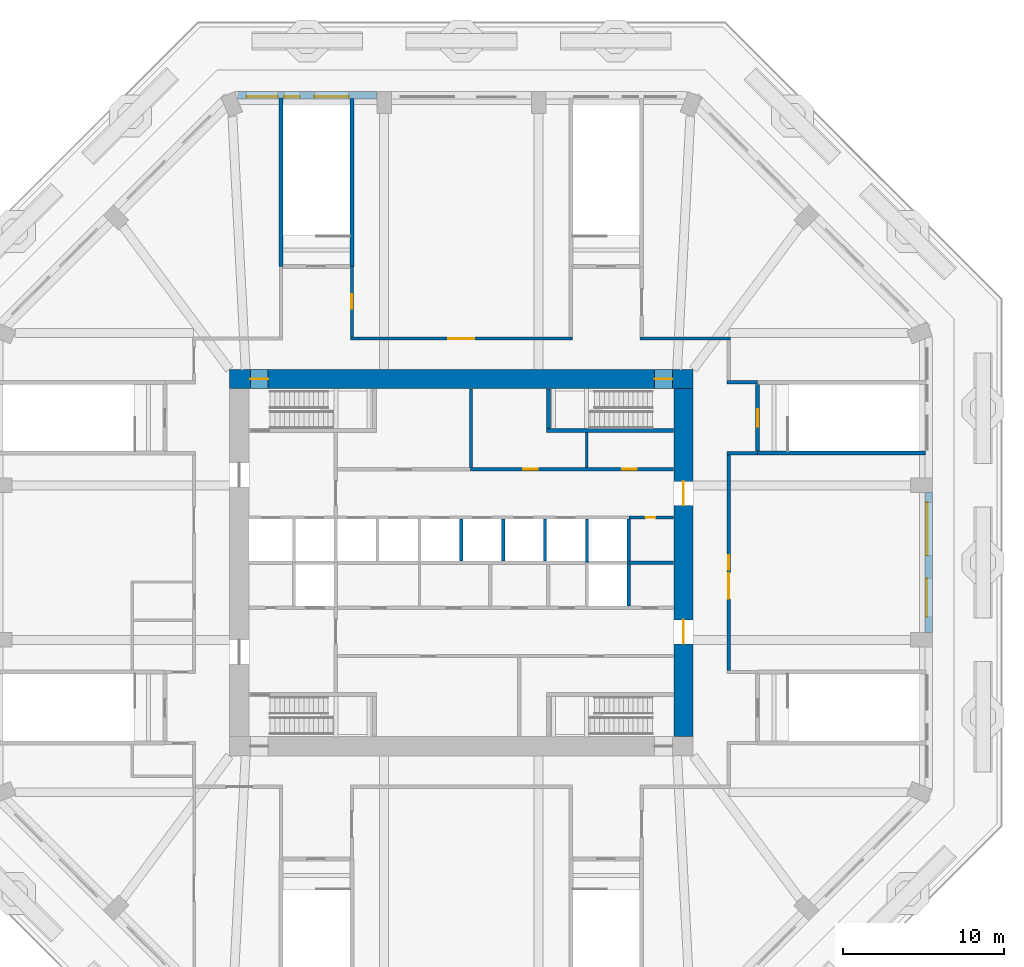
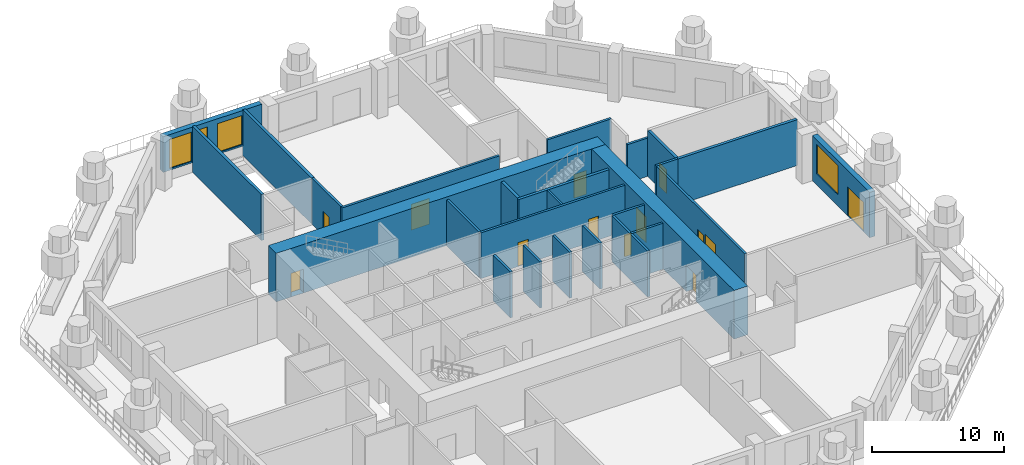
# One storey, part 7 of 13: 26 walls, 13 doors, 4 windows, 17 openings.
"""IFC4 building model written with IfcOpenShell, lengths in metres."""

from ifc_helpers import new_model, si_unit, direction, frame, frame_2d, origin, place, context, subcontext, project, spatial, rectangle, extrude, material, layer, layer_set, type_object, element, fill, save


model = new_model("IFC4")

# Units and contexts
model_context = context("Model", 3, precision=1e-05, world=origin(), true_north=direction((0.0, 1.0)))
body_context = subcontext(model_context, "Body", "Model", "MODEL_VIEW")
ifc_project = project(units=[si_unit("LENGTHUNIT", "METRE"), si_unit("AREAUNIT", "SQUARE_METRE"), si_unit("VOLUMEUNIT", "CUBIC_METRE"), si_unit("PLANEANGLEUNIT", "RADIAN"), si_unit("MASSUNIT", "GRAM", prefix="KILO")], contexts=[model_context])

# Site, building, storey
site_placement = place(None, origin())
site = spatial("IfcSite", under=ifc_project, at=site_placement, CompositionType="ELEMENT")
building_placement = place(site_placement, origin())
building = spatial("IfcBuilding", under=site, at=building_placement, Name="Msitu Wima Residences", CompositionType="ELEMENT")
storey_placement = place(building_placement, frame((0.0, 0.0, 21.0)))
storey = spatial("IfcBuildingStorey", under=building, at=storey_placement, Name="L04", CompositionType="ELEMENT", Elevation=21.0)

# Wall, openings, door, window
ifc_material_1 = material(Name="Brick (red buff mix), cavity wall of two leaves", Category="masonry")
ifc_layer_1 = layer(ifc_material_1, 0.449951171875)
ifc_layer_set_1 = layer_set([ifc_layer_1], Name="Brick (red buff mix), cavity wall of two leaves")
wall_type_1 = type_object("IfcWallType", Name="Brick infill wall BW450 podium", PredefinedType="ELEMENTEDWALL", material=ifc_layer_set_1)
wall_1_placement = place(storey_placement, frame((29.02490234375, -4.35009765625, 0.0), z_axis=(0.0, 0.0, 1.0), x_axis=(0.0, 1.0, 0.0)))
wall_1 = element("IfcWall", 1, at=wall_1_placement, inside=storey, type_object=wall_type_1, Name="Brick infill wall L04 E1", PredefinedType="ELEMENTEDWALL", context=body_context, shape_type="SweptSolid", body=[
    extrude(rectangle(XDim=8.7001953125, YDim=0.449951171875, at=frame_2d((4.35009765625, 0.0))), origin(), (0.0, 0.0, 1.0), 4.199951171875),
])
opening_1_placement = place(wall_1_placement, frame((0.97509765625, 0.0, 0.0)))
opening_1 = element("IfcOpeningElement", 2, at=opening_1_placement, cuts=wall_1, Name="Opening D04.001", PredefinedType="OPENING", context=body_context, shape_type="SweptSolid", body=[
    extrude(rectangle(XDim=2.39990234375, YDim=2.699951171875, at=frame_2d((1.199951171875, 1.35009765625))), frame((0.0, 0.23486328125, 0.0), z_axis=(0.0, -1.0, 0.0), x_axis=(1.0, 0.0, 0.0)), (0.0, 0.0, 1.0), 0.469970703125),
])
opening_2_placement = place(wall_1_placement, frame((4.800048828125, 0.0, 1.050048828125)))
opening_2 = element("IfcOpeningElement", 3, at=opening_2_placement, cuts=wall_1, Name="Opening W04.004", PredefinedType="OPENING", context=body_context, shape_type="SweptSolid", body=[
    extrude(rectangle(XDim=3.300048828125, YDim=2.699951171875, at=frame_2d((1.64990234375, 1.35009765625))), frame((0.0, 0.23486328125, 0.0), z_axis=(0.0, -1.0, 0.0), x_axis=(1.0, 0.0, 0.0)), (0.0, 0.0, 1.0), 0.469970703125),
])
ifc_material_2 = material(Name="Anodised aluminium, bronze finish, clear low-emissivity double glazing", Category="aluminium")
door_type_1 = type_object("IfcDoorType", Name="Balcony door D2400x2700", OperationType="SLIDING_TO_LEFT", PredefinedType="DOOR", material=ifc_material_2)
door_1_placement = place(opening_1_placement, origin())
door_1 = element("IfcDoor", 4, at=door_1_placement, inside=storey, type_object=door_type_1, Name="Terrace door L04 E1", OperationType="SINGLE_SWING_LEFT", OverallHeight=2.699951171875, OverallWidth=2.39990234375, PredefinedType="DOOR", context=body_context, shape_type="SweptSolid", body=[
    extrude(rectangle(XDim=2.39990234375, YDim=2.699951171875, at=frame_2d((1.199951171875, 1.35009765625))), frame((0.0, 0.1298828125, 0.0), z_axis=(0.0, -1.0, 0.0), x_axis=(1.0, 0.0, 0.0)), (0.0, 0.0, 1.0), 0.050048828125),
])
fill(opening_1, door_1)
window_type_1 = type_object("IfcWindowType", Name="Window W3300x2700", PartitioningType="DOUBLE_PANEL_VERTICAL", PredefinedType="WINDOW", material=ifc_material_2)
window_1_placement = place(opening_2_placement, origin())
window_1 = element("IfcWindow", 5, at=window_1_placement, inside=storey, type_object=window_type_1, Name="Window L04 E1.2", OverallHeight=2.699951171875, OverallWidth=3.300048828125, PartitioningType="SINGLE_PANEL", PredefinedType="WINDOW", context=body_context, shape_type="SweptSolid", body=[
    extrude(rectangle(XDim=3.300048828125, YDim=2.699951171875, at=frame_2d((1.64990234375, 1.35009765625))), frame((0.0, 0.135009765625, 0.0), z_axis=(0.0, -1.0, 0.0), x_axis=(1.0, 0.0, 0.0)), (0.0, 0.0, 1.0), 0.06005859375),
])
fill(opening_2, window_1)

# Wall, openings, windows
wall_2_placement = place(storey_placement, frame((-5.25, 29.02490234375, 0.89990234375), z_axis=(0.0, 0.0, 1.0), x_axis=(-1.0, 0.0, 0.0)))
wall_2 = element("IfcWall", 6, at=wall_2_placement, inside=storey, type_object=wall_type_1, Name="Brick infill wall L04 N2", PredefinedType="ELEMENTEDWALL", context=body_context, shape_type="SweptSolid", body=[
    extrude(rectangle(XDim=8.662841796875, YDim=0.449951171875, at=frame_2d((4.33154296875, 0.0))), origin(), (0.0, 0.0, 1.0), 3.300048828125),
])
opening_3_placement = place(wall_2_placement, frame((1.75, 0.0, 0.14990234375)))
opening_3 = element("IfcOpeningElement", 7, at=opening_3_placement, cuts=wall_2, Name="Opening W04.012", PredefinedType="OPENING", context=body_context, shape_type="SweptSolid", body=[
    extrude(rectangle(XDim=2.1298828125, YDim=2.699951171875, at=frame_2d((1.06494140625, 1.35009765625))), frame((0.0, 0.23486328125, 0.0), z_axis=(0.0, -1.0, 0.0), x_axis=(1.0, 0.0, 0.0)), (0.0, 0.0, 1.0), 0.469970703125),
])
opening_4_placement = place(wall_2_placement, frame((4.781494140625, 0.0, 0.14990234375)))
opening_4 = element("IfcOpeningElement", 8, at=opening_4_placement, cuts=wall_2, Name="Opening W04.013", PredefinedType="OPENING", context=body_context, shape_type="SweptSolid", body=[
    extrude(rectangle(XDim=0.969970703125, YDim=2.699951171875, at=frame_2d((0.48486328125, 1.35009765625))), frame((0.0, 0.23486328125, 0.0), z_axis=(0.0, -1.0, 0.0), x_axis=(1.0, 0.0, 0.0)), (0.0, 0.0, 1.0), 0.469970703125),
])
opening_5_placement = place(wall_2_placement, frame((6.14990234375, 0.0, 0.14990234375)))
opening_5 = element("IfcOpeningElement", 9, at=opening_5_placement, cuts=wall_2, Name="Opening W04.014", PredefinedType="OPENING", context=body_context, shape_type="SweptSolid", body=[
    extrude(rectangle(XDim=1.929931640625, YDim=2.699951171875, at=frame_2d((0.96484375, 1.35009765625))), frame((0.0, 0.23486328125, 0.0), z_axis=(0.0, -1.0, 0.0), x_axis=(1.0, 0.0, 0.0)), (0.0, 0.0, 1.0), 0.469970703125),
])
window_type_2 = type_object("IfcWindowType", Name="Window W1930x2700", PartitioningType="DOUBLE_PANEL_VERTICAL", PredefinedType="WINDOW", material=ifc_material_2)
window_2_placement = place(opening_5_placement, origin())
window_2 = element("IfcWindow", 10, at=window_2_placement, inside=storey, type_object=window_type_2, Name="Window L04 N2.2b", OverallHeight=2.699951171875, OverallWidth=1.929931640625, PartitioningType="SINGLE_PANEL", PredefinedType="WINDOW", context=body_context, shape_type="SweptSolid", body=[
    extrude(rectangle(XDim=1.929931640625, YDim=2.699951171875, at=frame_2d((0.96484375, 1.35009765625))), frame((0.0, 0.135009765625, 0.0), z_axis=(0.0, -1.0, 0.0), x_axis=(1.0, 0.0, 0.0)), (0.0, 0.0, 1.0), 0.06005859375),
])
fill(opening_5, window_2)
window_type_3 = type_object("IfcWindowType", Name="Window W2130x2700", PartitioningType="DOUBLE_PANEL_VERTICAL", PredefinedType="WINDOW", material=ifc_material_2)
window_3_placement = place(opening_3_placement, origin())
window_3 = element("IfcWindow", 11, at=window_3_placement, inside=storey, type_object=window_type_3, Name="Window L04 N2.1b", OverallHeight=2.699951171875, OverallWidth=2.1298828125, PartitioningType="SINGLE_PANEL", PredefinedType="WINDOW", context=body_context, shape_type="SweptSolid", body=[
    extrude(rectangle(XDim=2.1298828125, YDim=2.699951171875, at=frame_2d((1.06494140625, 1.35009765625))), frame((0.0, 0.135009765625, 0.0), z_axis=(0.0, -1.0, 0.0), x_axis=(1.0, 0.0, 0.0)), (0.0, 0.0, 1.0), 0.06005859375),
])
fill(opening_3, window_3)
window_type_4 = type_object("IfcWindowType", Name="Window W970x2700", PartitioningType="DOUBLE_PANEL_VERTICAL", PredefinedType="WINDOW", material=ifc_material_2)
window_4_placement = place(opening_4_placement, origin())
window_4 = element("IfcWindow", 12, at=window_4_placement, inside=storey, type_object=window_type_4, Name="Window L04 N2.2a", OverallHeight=2.699951171875, OverallWidth=0.969970703125, PartitioningType="SINGLE_PANEL", PredefinedType="WINDOW", context=body_context, shape_type="SweptSolid", body=[
    extrude(rectangle(XDim=0.969970703125, YDim=2.699951171875, at=frame_2d((0.48486328125, 1.35009765625))), frame((0.0, 0.135009765625, 0.0), z_axis=(0.0, -1.0, 0.0), x_axis=(1.0, 0.0, 0.0)), (0.0, 0.0, 1.0), 0.06005859375),
])
fill(opening_4, window_4)

# Wall, openings, doors
ifc_material_3 = material(Name="Concrete C80/95", Category="concrete")
ifc_layer_2 = layer(ifc_material_3, 1.199951171875)
ifc_layer_set_2 = layer_set([ifc_layer_2], Name="Concrete C80/95")
wall_type_2 = type_object("IfcWallType", Name="Core wall CW1200 C80/95", PredefinedType="SHEAR", material=ifc_layer_set_2)
wall_3_placement = place(storey_placement, frame((-14.39990234375, 11.39990234375, 0.0), z_axis=(0.0, 0.0, 1.0), x_axis=(1.0, 0.0, 0.0)))
wall_3 = element("IfcWall", 13, at=wall_3_placement, inside=storey, type_object=wall_type_2, Name="Core wall", PredefinedType="SHEAR", context=body_context, shape_type="SweptSolid", body=[
    extrude(rectangle(XDim=28.7998046875, YDim=1.199951171875, at=frame_2d((14.39990234375, 0.0))), origin(), (0.0, 0.0, 1.0), 4.5),
])
opening_6_placement = place(wall_3_placement, frame((1.300048828125, 0.0, 0.0)))
opening_6 = element("IfcOpeningElement", 14, at=opening_6_placement, cuts=wall_3, Name="Opening D04.051", PredefinedType="OPENING", context=body_context, shape_type="SweptSolid", body=[
    extrude(rectangle(XDim=1.10009765625, YDim=2.199951171875, at=frame_2d((0.550048828125, 1.10009765625))), frame((0.0, 0.60986328125, 0.0), z_axis=(0.0, -1.0, 0.0), x_axis=(1.0, 0.0, 0.0)), (0.0, 0.0, 1.0), 1.219970703125),
])
opening_7_placement = place(wall_3_placement, frame((26.39990234375, 0.0, 0.0)))
opening_7 = element("IfcOpeningElement", 15, at=opening_7_placement, cuts=wall_3, Name="Opening D04.053", PredefinedType="OPENING", context=body_context, shape_type="SweptSolid", body=[
    extrude(rectangle(XDim=1.10009765625, YDim=2.199951171875, at=frame_2d((0.550048828125, 1.10009765625))), frame((0.0, 0.60986328125, 0.0), z_axis=(0.0, -1.0, 0.0), x_axis=(1.0, 0.0, 0.0)), (0.0, 0.0, 1.0), 1.219970703125),
])
ifc_material_4 = material(Name="Steel door, fire resisting, panic bar", Category="steel")
door_type_2 = type_object("IfcDoorType", Name="Stair door D06 1100x2200", OperationType="SINGLE_SWING_LEFT", PredefinedType="DOOR", material=ifc_material_4)
door_2_placement = place(opening_6_placement, origin())
door_2 = element("IfcDoor", 16, at=door_2_placement, inside=storey, type_object=door_type_2, Name="Stair door", OperationType="SINGLE_SWING_RIGHT", OverallHeight=2.199951171875, OverallWidth=1.10009765625, PredefinedType="DOOR", context=body_context, shape_type="SweptSolid", body=[
    extrude(rectangle(XDim=1.10009765625, YDim=2.199951171875, at=frame_2d((0.550048828125, 1.10009765625))), frame((0.0, 0.02490234375, 0.0), z_axis=(0.0, -1.0, 0.0), x_axis=(1.0, 0.0, 0.0)), (0.0, 0.0, 1.0), 0.050048828125),
])
fill(opening_6, door_2)
door_3_placement = place(opening_7_placement, origin())
door_3 = element("IfcDoor", 17, at=door_3_placement, inside=storey, type_object=door_type_2, Name="Stair door", OperationType="SINGLE_SWING_LEFT", OverallHeight=2.199951171875, OverallWidth=1.10009765625, PredefinedType="DOOR", context=body_context, shape_type="SweptSolid", body=[
    extrude(rectangle(XDim=1.10009765625, YDim=2.199951171875, at=frame_2d((0.550048828125, 1.10009765625))), frame((0.0, 0.02490234375, 0.0), z_axis=(0.0, -1.0, 0.0), x_axis=(1.0, 0.0, 0.0)), (0.0, 0.0, 1.0), 0.050048828125),
])
fill(opening_7, door_3)

wall_4_placement = place(storey_placement, frame((13.800048828125, -10.800048828125, 0.0), z_axis=(0.0, 0.0, 1.0), x_axis=(0.0, 1.0, 0.0)))
wall_4 = element("IfcWall", 18, at=wall_4_placement, inside=storey, type_object=wall_type_2, Name="Core wall", PredefinedType="SHEAR", context=body_context, shape_type="SweptSolid", body=[
    extrude(rectangle(XDim=21.60009765625, YDim=1.199951171875, at=frame_2d((10.800048828125, 0.0))), origin(), (0.0, 0.0, 1.0), 4.5),
])
opening_8_placement = place(wall_4_placement, frame((14.35009765625, 0.0, 0.0)))
opening_8 = element("IfcOpeningElement", 19, at=opening_8_placement, cuts=wall_4, Name="Opening D04.047", PredefinedType="OPENING", context=body_context, shape_type="SweptSolid", body=[
    extrude(rectangle(XDim=1.5, YDim=2.39990234375, at=frame_2d((0.75, 1.199951171875))), frame((0.0, 0.60986328125, 0.0), z_axis=(0.0, -1.0, 0.0), x_axis=(1.0, 0.0, 0.0)), (0.0, 0.0, 1.0), 1.219970703125),
])
opening_9_placement = place(wall_4_placement, frame((5.75, 0.0, 0.0)))
opening_9 = element("IfcOpeningElement", 20, at=opening_9_placement, cuts=wall_4, Name="Opening D04.048", PredefinedType="OPENING", context=body_context, shape_type="SweptSolid", body=[
    extrude(rectangle(XDim=1.5, YDim=2.39990234375, at=frame_2d((0.75, 1.199951171875))), frame((0.0, 0.60986328125, 0.0), z_axis=(0.0, -1.0, 0.0), x_axis=(1.0, 0.0, 0.0)), (0.0, 0.0, 1.0), 1.219970703125),
])
ifc_material_5 = material(Name="Steel framed glazed door, fire resisting", Category="steel")
door_type_3 = type_object("IfcDoorType", Name="Lobby door D07 1500x2400", OperationType="DOUBLE_DOOR_SINGLE_SWING", PredefinedType="DOOR", material=ifc_material_5)
door_4_placement = place(opening_8_placement, origin())
door_4 = element("IfcDoor", 21, at=door_4_placement, inside=storey, type_object=door_type_3, Name="Lobby door", OperationType="DOUBLE_DOOR_SINGLE_SWING", OverallHeight=2.39990234375, OverallWidth=1.5, PredefinedType="DOOR", context=body_context, shape_type="SweptSolid", body=[
    extrude(rectangle(XDim=1.5, YDim=2.39990234375, at=frame_2d((0.75, 1.199951171875))), frame((0.0, 0.02490234375, 0.0), z_axis=(0.0, -1.0, 0.0), x_axis=(1.0, 0.0, 0.0)), (0.0, 0.0, 1.0), 0.050048828125),
])
fill(opening_8, door_4)
door_5_placement = place(opening_9_placement, origin())
door_5 = element("IfcDoor", 22, at=door_5_placement, inside=storey, type_object=door_type_3, Name="Lobby door", OperationType="DOUBLE_DOOR_SINGLE_SWING", OverallHeight=2.39990234375, OverallWidth=1.5, PredefinedType="DOOR", context=body_context, shape_type="SweptSolid", body=[
    extrude(rectangle(XDim=1.5, YDim=2.39990234375, at=frame_2d((0.75, 1.199951171875))), frame((0.0, 0.02490234375, 0.0), z_axis=(0.0, -1.0, 0.0), x_axis=(1.0, 0.0, 0.0)), (0.0, 0.0, 1.0), 0.050048828125),
])
fill(opening_9, door_5)

# Wall, opening, door
ifc_material_6 = material(Name="Plaster")
ifc_layer_3 = layer(ifc_material_6, 0.011962890625, Name="Plaster")
ifc_material_7 = material(Name="Concrete blockwork", Category="masonry")
ifc_layer_4 = layer(ifc_material_7, 0.176025390625, Name="Concrete blockwork")
ifc_layer_5 = layer(ifc_material_6, 0.011962890625, Name="Plaster")
ifc_layer_set_3 = layer_set([ifc_layer_3, ifc_layer_4, ifc_layer_5], Name="Concrete blockwork")
wall_type_3 = type_object("IfcWallType", Name="Corridor wall FW200", PredefinedType="PARTITIONING", material=ifc_layer_set_3)
wall_5_placement = place(storey_placement, frame((-6.800048828125, 14.013427734375, 0.0), z_axis=(0.0, 0.0, 1.0), x_axis=(0.0, 1.0, 0.0)))
wall_5 = element("IfcWall", 23, at=wall_5_placement, inside=storey, type_object=wall_type_3, Name="Corridor wall", PredefinedType="PARTITIONING", context=body_context, shape_type="SweptSolid", body=[
    extrude(rectangle(XDim=4.386474609375, YDim=0.199951171875, at=frame_2d((2.193359375, 0.0))), origin(), (0.0, 0.0, 1.0), 4.25),
])
opening_10_placement = place(wall_5_placement, frame((1.75, 0.0, 0.0)))
opening_10 = element("IfcOpeningElement", 24, at=opening_10_placement, cuts=wall_5, Name="Opening D04.025", PredefinedType="OPENING", context=body_context, shape_type="SweptSolid", body=[
    extrude(rectangle(XDim=0.89990234375, YDim=2.199951171875, at=frame_2d((0.449951171875, 1.10009765625))), frame((0.0, 0.10986328125, 0.0), z_axis=(0.0, -1.0, 0.0), x_axis=(1.0, 0.0, 0.0)), (0.0, 0.0, 1.0), 0.219970703125),
])
ifc_material_8 = material(Name="Timber flush door", Category="wood")
door_type_4 = type_object("IfcDoorType", Name="Service door D05 900x2200", OperationType="SINGLE_SWING_LEFT", PredefinedType="DOOR", material=ifc_material_8)
door_6_placement = place(opening_10_placement, origin())
door_6 = element("IfcDoor", 25, at=door_6_placement, inside=storey, type_object=door_type_4, Name="Service door", OperationType="SINGLE_SWING_RIGHT", OverallHeight=2.199951171875, OverallWidth=0.89990234375, PredefinedType="DOOR", context=body_context, shape_type="SweptSolid", body=[
    extrude(rectangle(XDim=0.89990234375, YDim=2.199951171875, at=frame_2d((0.449951171875, 1.10009765625))), frame((0.0, 0.02490234375, 0.0), z_axis=(0.0, -1.0, 0.0), x_axis=(1.0, 0.0, 0.0)), (0.0, 0.0, 1.0), 0.050048828125),
])
fill(opening_10, door_6)

wall_6_placement = place(storey_placement, frame((-6.89990234375, 13.91357421875, 0.0), z_axis=(0.0, 0.0, 1.0), x_axis=(1.0, 0.0, 0.0)))
wall_6 = element("IfcWall", 26, at=wall_6_placement, inside=storey, type_object=wall_type_3, Name="Corridor wall", PredefinedType="PARTITIONING", context=body_context, shape_type="SweptSolid", body=[
    extrude(rectangle(XDim=13.7998046875, YDim=0.199951171875, at=frame_2d((6.89990234375, 0.0))), origin(), (0.0, 0.0, 1.0), 4.25),
])
opening_11_placement = place(wall_6_placement, frame((6.10009765625, 0.0, 0.0)))
opening_11 = element("IfcOpeningElement", 27, at=opening_11_placement, cuts=wall_6, Name="Opening D04.037", PredefinedType="OPENING", context=body_context, shape_type="SweptSolid", body=[
    extrude(rectangle(XDim=1.60009765625, YDim=2.39990234375, at=frame_2d((0.800048828125, 1.199951171875))), frame((0.0, 0.10986328125, 0.0), z_axis=(0.0, -1.0, 0.0), x_axis=(1.0, 0.0, 0.0)), (0.0, 0.0, 1.0), 0.219970703125),
])
ifc_material_9 = material(Name="Black aluminium glazed door", Category="aluminium")
door_type_5 = type_object("IfcDoorType", Name="Amenity door D10 1600x2400", OperationType="DOUBLE_DOOR_SINGLE_SWING", PredefinedType="DOOR", material=ifc_material_9)
door_7_placement = place(opening_11_placement, origin())
door_7 = element("IfcDoor", 28, at=door_7_placement, inside=storey, type_object=door_type_5, Name="Amenity door", OperationType="DOUBLE_DOOR_SINGLE_SWING", OverallHeight=2.39990234375, OverallWidth=1.60009765625, PredefinedType="DOOR", context=body_context, shape_type="SweptSolid", body=[
    extrude(rectangle(XDim=1.60009765625, YDim=2.39990234375, at=frame_2d((0.800048828125, 1.199951171875))), frame((0.0, 0.02490234375, 0.0), z_axis=(0.0, -1.0, 0.0), x_axis=(1.0, 0.0, 0.0)), (0.0, 0.0, 1.0), 0.050048828125),
])
fill(opening_11, door_7)

# Wall, openings, doors
wall_7_placement = place(storey_placement, frame((0.580078125, 5.800048828125, 0.0), z_axis=(0.0, 0.0, 1.0), x_axis=(1.0, 0.0, 0.0)))
wall_7 = element("IfcWall", 29, at=wall_7_placement, inside=storey, type_object=wall_type_3, Name="Corridor wall", PredefinedType="PARTITIONING", context=body_context, shape_type="SweptSolid", body=[
    extrude(rectangle(XDim=12.58984375, YDim=0.199951171875, at=frame_2d((6.294921875, 0.0))), origin(), (0.0, 0.0, 1.0), 4.25),
])
opening_12_placement = place(wall_7_placement, frame((3.25, 0.0, 0.0)))
opening_12 = element("IfcOpeningElement", 30, at=opening_12_placement, cuts=wall_7, Name="Opening D04.013", PredefinedType="OPENING", context=body_context, shape_type="SweptSolid", body=[
    extrude(rectangle(XDim=0.89990234375, YDim=2.199951171875, at=frame_2d((0.449951171875, 1.10009765625))), frame((0.0, 0.10986328125, 0.0), z_axis=(0.0, -1.0, 0.0), x_axis=(1.0, 0.0, 0.0)), (0.0, 0.0, 1.0), 0.219970703125),
])
opening_13_placement = place(wall_7_placement, frame((9.39990234375, 0.0, 0.0)))
opening_13 = element("IfcOpeningElement", 31, at=opening_13_placement, cuts=wall_7, Name="Opening D04.014", PredefinedType="OPENING", context=body_context, shape_type="SweptSolid", body=[
    extrude(rectangle(XDim=0.89990234375, YDim=2.199951171875, at=frame_2d((0.449951171875, 1.10009765625))), frame((0.0, 0.10986328125, 0.0), z_axis=(0.0, -1.0, 0.0), x_axis=(1.0, 0.0, 0.0)), (0.0, 0.0, 1.0), 0.219970703125),
])
door_8_placement = place(opening_12_placement, origin())
door_8 = element("IfcDoor", 32, at=door_8_placement, inside=storey, type_object=door_type_4, Name="Service door", OperationType="SINGLE_SWING_RIGHT", OverallHeight=2.199951171875, OverallWidth=0.89990234375, PredefinedType="DOOR", context=body_context, shape_type="SweptSolid", body=[
    extrude(rectangle(XDim=0.89990234375, YDim=2.199951171875, at=frame_2d((0.449951171875, 1.10009765625))), frame((0.0, 0.02490234375, 0.0), z_axis=(0.0, -1.0, 0.0), x_axis=(1.0, 0.0, 0.0)), (0.0, 0.0, 1.0), 0.050048828125),
])
fill(opening_12, door_8)
door_9_placement = place(opening_13_placement, origin())
door_9 = element("IfcDoor", 33, at=door_9_placement, inside=storey, type_object=door_type_4, Name="Service door", OperationType="SINGLE_SWING_LEFT", OverallHeight=2.199951171875, OverallWidth=0.89990234375, PredefinedType="DOOR", context=body_context, shape_type="SweptSolid", body=[
    extrude(rectangle(XDim=0.89990234375, YDim=2.199951171875, at=frame_2d((0.449951171875, 1.10009765625))), frame((0.0, 0.02490234375, 0.0), z_axis=(0.0, -1.0, 0.0), x_axis=(1.0, 0.0, 0.0)), (0.0, 0.0, 1.0), 0.050048828125),
])
fill(opening_13, door_9)

# Wall
wall_8_placement = place(storey_placement, frame((11.10009765625, 13.91357421875, 0.0), z_axis=(0.0, 0.0, 1.0), x_axis=(1.0, 0.0, 0.0)))
element("IfcWall", 34, at=wall_8_placement, inside=storey, type_object=wall_type_3, Name="Corridor wall", PredefinedType="PARTITIONING", context=body_context, shape_type="SweptSolid", body=[
    extrude(rectangle(XDim=5.599853515625, YDim=0.199951171875, at=frame_2d((2.7998046875, 0.0))), origin(), (0.0, 0.0, 1.0), 4.25),
])

# Wall, openings, doors
wall_9_placement = place(storey_placement, frame((16.60009765625, -6.699951171875, 0.0), z_axis=(0.0, 0.0, 1.0), x_axis=(0.0, 1.0, 0.0)))
wall_9 = element("IfcWall", 35, at=wall_9_placement, inside=storey, type_object=wall_type_3, Name="Corridor wall", PredefinedType="PARTITIONING", context=body_context, shape_type="SweptSolid", body=[
    extrude(rectangle(XDim=13.39990234375, YDim=0.199951171875, at=frame_2d((6.699951171875, 0.0))), origin(), (0.0, 0.0, 1.0), 4.25),
])
opening_14_placement = place(wall_9_placement, frame((6.25, 0.0, 0.0)))
opening_14 = element("IfcOpeningElement", 36, at=opening_14_placement, cuts=wall_9, Name="Opening D04.026", PredefinedType="OPENING", context=body_context, shape_type="SweptSolid", body=[
    extrude(rectangle(XDim=0.89990234375, YDim=2.199951171875, at=frame_2d((0.449951171875, 1.10009765625))), frame((0.0, 0.10986328125, 0.0), z_axis=(0.0, -1.0, 0.0), x_axis=(1.0, 0.0, 0.0)), (0.0, 0.0, 1.0), 0.219970703125),
])
opening_15_placement = place(wall_9_placement, frame((4.449951171875, 0.0, 0.0)))
opening_15 = element("IfcOpeningElement", 37, at=opening_15_placement, cuts=wall_9, Name="Opening D04.038", PredefinedType="OPENING", context=body_context, shape_type="SweptSolid", body=[
    extrude(rectangle(XDim=1.60009765625, YDim=2.39990234375, at=frame_2d((0.800048828125, 1.199951171875))), frame((0.0, 0.10986328125, 0.0), z_axis=(0.0, -1.0, 0.0), x_axis=(1.0, 0.0, 0.0)), (0.0, 0.0, 1.0), 0.219970703125),
])
door_10_placement = place(opening_15_placement, origin())
door_10 = element("IfcDoor", 38, at=door_10_placement, inside=storey, type_object=door_type_5, Name="Amenity door", OperationType="DOUBLE_DOOR_SINGLE_SWING", OverallHeight=2.39990234375, OverallWidth=1.60009765625, PredefinedType="DOOR", context=body_context, shape_type="SweptSolid", body=[
    extrude(rectangle(XDim=1.60009765625, YDim=2.39990234375, at=frame_2d((0.800048828125, 1.199951171875))), frame((0.0, 0.02490234375, 0.0), z_axis=(0.0, -1.0, 0.0), x_axis=(1.0, 0.0, 0.0)), (0.0, 0.0, 1.0), 0.050048828125),
])
fill(opening_15, door_10)
door_11_placement = place(opening_14_placement, origin())
door_11 = element("IfcDoor", 39, at=door_11_placement, inside=storey, type_object=door_type_4, Name="Service door", OperationType="SINGLE_SWING_RIGHT", OverallHeight=2.199951171875, OverallWidth=0.89990234375, PredefinedType="DOOR", context=body_context, shape_type="SweptSolid", body=[
    extrude(rectangle(XDim=0.89990234375, YDim=2.199951171875, at=frame_2d((0.449951171875, 1.10009765625))), frame((0.0, 0.02490234375, 0.0), z_axis=(0.0, -1.0, 0.0), x_axis=(1.0, 0.0, 0.0)), (0.0, 0.0, 1.0), 0.050048828125),
])
fill(opening_14, door_11)

# Walls
wall_10_placement = place(storey_placement, frame((16.5, 6.800048828125, 0.0), z_axis=(0.0, 0.0, 1.0), x_axis=(1.0, 0.0, 0.0)))
element("IfcWall", 40, at=wall_10_placement, inside=storey, type_object=wall_type_3, Name="Corridor wall", PredefinedType="PARTITIONING", context=body_context, shape_type="SweptSolid", body=[
    extrude(rectangle(XDim=1.89990234375, YDim=0.199951171875, at=frame_2d((0.949951171875, 0.0))), origin(), (0.0, 0.0, 1.0), 4.25),
])
wall_11_placement = place(storey_placement, frame((16.5, 11.199951171875, 0.0), z_axis=(0.0, 0.0, 1.0), x_axis=(1.0, 0.0, 0.0)))
element("IfcWall", 41, at=wall_11_placement, inside=storey, type_object=wall_type_3, Name="Corridor wall", PredefinedType="PARTITIONING", context=body_context, shape_type="SweptSolid", body=[
    extrude(rectangle(XDim=1.89990234375, YDim=0.199951171875, at=frame_2d((0.949951171875, 0.0))), origin(), (0.0, 0.0, 1.0), 3.550048828125),
])
ifc_layer_6 = layer(ifc_material_6, 0.011962890625, Name="Plaster")
ifc_layer_7 = layer(ifc_material_7, 0.1259765625, Name="Concrete blockwork")
ifc_layer_8 = layer(ifc_material_6, 0.011962890625, Name="Plaster")
ifc_layer_set_4 = layer_set([ifc_layer_6, ifc_layer_7, ifc_layer_8], Name="Concrete blockwork")
wall_type_4 = type_object("IfcWallType", Name="Partition PW150", PredefinedType="PARTITIONING", material=ifc_layer_set_4)
wall_12_placement = place(storey_placement, frame((7.800048828125, 5.89990234375, 0.0), z_axis=(0.0, 0.0, 1.0), x_axis=(0.0, 1.0, 0.0)))
element("IfcWall", 42, at=wall_12_placement, inside=storey, type_object=wall_type_4, Name="Partition", PredefinedType="PARTITIONING", context=body_context, shape_type="SweptSolid", body=[
    extrude(rectangle(XDim=2.175048828125, YDim=0.14990234375, at=frame_2d((1.08740234375, 0.0))), origin(), (0.0, 0.0, 1.0), 4.25),
])
ifc_layer_9 = layer(ifc_material_6, 0.011962890625, Name="Plaster")
ifc_material_10 = material(Name="Reinforced concrete blockwork", Category="masonry")
ifc_layer_10 = layer(ifc_material_10, 0.176025390625, Name="Reinforced concrete blockwork")
ifc_layer_11 = layer(ifc_material_6, 0.011962890625, Name="Plaster")
ifc_layer_set_5 = layer_set([ifc_layer_9, ifc_layer_10, ifc_layer_11], Name="Reinforced concrete blockwork")
wall_type_5 = type_object("IfcWallType", Name="Plant and riser wall PL200", PredefinedType="PARTITIONING", material=ifc_layer_set_5)
wall_13_placement = place(storey_placement, frame((0.60009765625, 5.89990234375, 0.0), z_axis=(0.0, 0.0, 1.0), x_axis=(0.0, 1.0, 0.0)))
element("IfcWall", 43, at=wall_13_placement, inside=storey, type_object=wall_type_5, Name="Plant and riser wall", PredefinedType="PARTITIONING", context=body_context, shape_type="SweptSolid", body=[
    extrude(rectangle(XDim=4.8701171875, YDim=0.199951171875, at=frame_2d((2.43505859375, 0.0))), origin(), (0.0, 0.0, 1.0), 4.25),
])

# Wall, opening, door
wall_14_placement = place(storey_placement, frame((10.39990234375, 2.800048828125, 0.0), z_axis=(0.0, 0.0, 1.0), x_axis=(1.0, 0.0, 0.0)))
wall_14 = element("IfcWall", 44, at=wall_14_placement, inside=storey, type_object=wall_type_5, Name="Plant and riser wall", PredefinedType="PARTITIONING", context=body_context, shape_type="SweptSolid", body=[
    extrude(rectangle(XDim=2.77001953125, YDim=0.199951171875, at=frame_2d((1.385009765625, 0.0))), origin(), (0.0, 0.0, 1.0), 4.25),
])
opening_16_placement = place(wall_14_placement, frame((1.050048828125, 0.0, 0.0)))
opening_16 = element("IfcOpeningElement", 45, at=opening_16_placement, cuts=wall_14, Name="Opening D04.017", PredefinedType="OPENING", context=body_context, shape_type="SweptSolid", body=[
    extrude(rectangle(XDim=0.60009765625, YDim=2.0, at=frame_2d((0.300048828125, 1.0))), frame((0.0, 0.10986328125, 0.0), z_axis=(0.0, -1.0, 0.0), x_axis=(1.0, 0.0, 0.0)), (0.0, 0.0, 1.0), 0.219970703125),
])
ifc_material_11 = material(Name="Steel access door, fire resisting", Category="steel")
door_type_6 = type_object("IfcDoorType", Name="Riser access door D08 600x2000", OperationType="SINGLE_SWING_LEFT", PredefinedType="DOOR", material=ifc_material_11)
door_12_placement = place(opening_16_placement, origin())
door_12 = element("IfcDoor", 46, at=door_12_placement, inside=storey, type_object=door_type_6, Name="Riser access door", OperationType="SINGLE_SWING_RIGHT", OverallHeight=2.0, OverallWidth=0.60009765625, PredefinedType="DOOR", context=body_context, shape_type="SweptSolid", body=[
    extrude(rectangle(XDim=0.60009765625, YDim=2.0, at=frame_2d((0.300048828125, 1.0))), frame((0.0, 0.02490234375, 0.0), z_axis=(0.0, -1.0, 0.0), x_axis=(1.0, 0.0, 0.0)), (0.0, 0.0, 1.0), 0.050048828125),
])
fill(opening_16, door_12)

# Walls
wall_15_placement = place(storey_placement, frame((10.39990234375, 0.0, 0.0), z_axis=(0.0, 0.0, 1.0), x_axis=(1.0, 0.0, 0.0)))
element("IfcWall", 47, at=wall_15_placement, inside=storey, type_object=wall_type_5, Name="Plant and riser wall", PredefinedType="PARTITIONING", context=body_context, shape_type="SweptSolid", body=[
    extrude(rectangle(XDim=2.77001953125, YDim=0.199951171875, at=frame_2d((1.385009765625, 0.0))), origin(), (0.0, 0.0, 1.0), 4.25),
])
ifc_material_12 = material(Name="Fire-rated board")
ifc_layer_12 = layer(ifc_material_12, 0.02490234375, Name="Fire-rated board")
ifc_material_13 = material(Name="Light-gauge stud framing with mineral wool")
ifc_layer_13 = layer(ifc_material_13, 0.14990234375, Name="Light-gauge stud framing with mineral wool")
ifc_layer_14 = layer(ifc_material_12, 0.02490234375, Name="Fire-rated board")
ifc_layer_set_6 = layer_set([ifc_layer_12, ifc_layer_13, ifc_layer_14], Name="Light-gauge stud framing with mineral wool")
wall_type_6 = type_object("IfcWallType", Name="Shaft wall SH200", PredefinedType="PARTITIONING", material=ifc_layer_set_6)
for number, where, z_axis, x_axis, name in (
    (48, (0.0, 0.10009765625, 0.0), (0.0, 0.0, 1.0), (0.0, 1.0, 0.0), "Shaft wall"),
    (49, (2.60009765625, 0.10009765625, 0.0), (0.0, 0.0, 1.0), (0.0, 1.0, 0.0), "Shaft wall"),
    (50, (5.199951171875, 0.10009765625, 0.0), (0.0, 0.0, 1.0), (0.0, 1.0, 0.0), "Shaft wall"),
):
    element("IfcWall", number, at=place(storey_placement, frame(where, z_axis=z_axis, x_axis=x_axis)), inside=storey, type_object=wall_type_6, Name=name, PredefinedType="PARTITIONING", context=body_context, shape_type="SweptSolid", body=[
        extrude(rectangle(XDim=2.599853515625, YDim=0.199951171875, at=frame_2d((1.2998046875, 0.0))), origin(), (0.0, 0.0, 1.0), 4.25),
    ])
wall_16_placement = place(storey_placement, frame((7.800048828125, 0.0, 0.0), z_axis=(0.0, 0.0, 1.0), x_axis=(0.0, 1.0, 0.0)))
element("IfcWall", 51, at=wall_16_placement, inside=storey, type_object=wall_type_6, Name="Shaft wall", PredefinedType="PARTITIONING", context=body_context, shape_type="SweptSolid", body=[
    extrude(rectangle(XDim=2.699951171875, YDim=0.199951171875, at=frame_2d((1.35009765625, 0.0))), origin(), (0.0, 0.0, 1.0), 4.25),
])
wall_17_placement = place(storey_placement, frame((10.39990234375, -2.699951171875, 0.0), z_axis=(0.0, 0.0, 1.0), x_axis=(0.0, 1.0, 0.0)))
element("IfcWall", 52, at=wall_17_placement, inside=storey, type_object=wall_type_6, Name="Shaft wall", PredefinedType="PARTITIONING", context=body_context, shape_type="SweptSolid", body=[
    extrude(rectangle(XDim=5.39990234375, YDim=0.199951171875, at=frame_2d((2.699951171875, 0.0))), origin(), (0.0, 0.0, 1.0), 4.25),
])
ifc_material_14 = material(Name="Concrete C50/60", Category="concrete")
ifc_layer_15 = layer(ifc_material_14, 0.25)
ifc_layer_set_7 = layer_set([ifc_layer_15], Name="Concrete C50/60")
wall_type_7 = type_object("IfcWallType", Name="Stair enclosure wall SW250", PredefinedType="SHEAR", material=ifc_layer_set_7)
wall_18_placement = place(storey_placement, frame((-11.199951171875, 18.39990234375, 0.0), z_axis=(0.0, 0.0, 1.0), x_axis=(0.0, 1.0, 0.0)))
element("IfcWall", 53, at=wall_18_placement, inside=storey, type_object=wall_type_7, Name="Stair enclosure wall", PredefinedType="SHEAR", context=body_context, shape_type="SweptSolid", body=[
    extrude(rectangle(XDim=10.455078125, YDim=0.25, at=frame_2d((5.2275390625, 0.0))), origin(), (0.0, 0.0, 1.0), 4.25),
])
wall_19_placement = place(storey_placement, frame((-6.800048828125, 18.39990234375, 0.0), z_axis=(0.0, 0.0, 1.0), x_axis=(0.0, 1.0, 0.0)))
element("IfcWall", 54, at=wall_19_placement, inside=storey, type_object=wall_type_7, Name="Stair enclosure wall", PredefinedType="SHEAR", context=body_context, shape_type="SweptSolid", body=[
    extrude(rectangle(XDim=10.425048828125, YDim=0.25, at=frame_2d((5.21240234375, 0.0))), origin(), (0.0, 0.0, 1.0), 4.25),
])
wall_20_placement = place(storey_placement, frame((5.39990234375, 8.324951171875, 0.0), z_axis=(0.0, 0.0, 1.0), x_axis=(0.0, 1.0, 0.0)))
element("IfcWall", 55, at=wall_20_placement, inside=storey, type_object=wall_type_7, Name="Stair enclosure wall", PredefinedType="SHEAR", context=body_context, shape_type="SweptSolid", body=[
    extrude(rectangle(XDim=2.445068359375, YDim=0.25, at=frame_2d((1.22265625, 0.0))), origin(), (0.0, 0.0, 1.0), 4.25),
])
wall_21_placement = place(storey_placement, frame((5.27490234375, 8.199951171875, 0.0), z_axis=(0.0, 0.0, 1.0), x_axis=(1.0, 0.0, 0.0)))
element("IfcWall", 56, at=wall_21_placement, inside=storey, type_object=wall_type_7, Name="Stair enclosure wall", PredefinedType="SHEAR", context=body_context, shape_type="SweptSolid", body=[
    extrude(rectangle(XDim=7.89501953125, YDim=0.25, at=frame_2d((3.947509765625, 0.0))), origin(), (0.0, 0.0, 1.0), 4.25),
])

# Wall, opening, door
wall_22_placement = place(storey_placement, frame((18.39990234375, 6.925048828125, 0.0), z_axis=(0.0, 0.0, 1.0), x_axis=(0.0, 1.0, 0.0)))
wall_22 = element("IfcWall", 57, at=wall_22_placement, inside=storey, type_object=wall_type_7, Name="Stair enclosure wall", PredefinedType="SHEAR", context=body_context, shape_type="SweptSolid", body=[
    extrude(rectangle(XDim=4.14990234375, YDim=0.25, at=frame_2d((2.074951171875, 0.0))), origin(), (0.0, 0.0, 1.0), 4.25),
])
opening_17_placement = place(wall_22_placement, frame((1.5, 0.0, 0.0)))
opening_17 = element("IfcOpeningElement", 58, at=opening_17_placement, cuts=wall_22, Name="Opening D04.039", PredefinedType="OPENING", context=body_context, shape_type="SweptSolid", body=[
    extrude(rectangle(XDim=1.10009765625, YDim=2.199951171875, at=frame_2d((0.550048828125, 1.10009765625))), frame((0.0, 0.135009765625, 0.0), z_axis=(0.0, -1.0, 0.0), x_axis=(1.0, 0.0, 0.0)), (0.0, 0.0, 1.0), 0.27001953125),
])
door_type_7 = type_object("IfcDoorType", Name="Stair door D13 1100x2200", OperationType="SINGLE_SWING_LEFT", PredefinedType="DOOR", material=ifc_material_4)
door_13_placement = place(opening_17_placement, origin())
door_13 = element("IfcDoor", 59, at=door_13_placement, inside=storey, type_object=door_type_7, Name="Stair door", OperationType="SINGLE_SWING_RIGHT", OverallHeight=2.199951171875, OverallWidth=1.10009765625, PredefinedType="DOOR", context=body_context, shape_type="SweptSolid", body=[
    extrude(rectangle(XDim=1.10009765625, YDim=2.199951171875, at=frame_2d((0.550048828125, 1.10009765625))), frame((0.0, 0.02490234375, 0.0), z_axis=(0.0, -1.0, 0.0), x_axis=(1.0, 0.0, 0.0)), (0.0, 0.0, 1.0), 0.050048828125),
])
fill(opening_17, door_13)

# Wall
wall_23_placement = place(storey_placement, frame((18.39990234375, 6.800048828125, 0.0), z_axis=(0.0, 0.0, 1.0), x_axis=(1.0, 0.0, 0.0)))
element("IfcWall", 60, at=wall_23_placement, inside=storey, type_object=wall_type_7, Name="Stair enclosure wall", PredefinedType="SHEAR", context=body_context, shape_type="SweptSolid", body=[
    extrude(rectangle(XDim=10.425048828125, YDim=0.25, at=frame_2d((5.21240234375, 0.0))), origin(), (0.0, 0.0, 1.0), 4.25),
])

save(model, "model.ifc")
